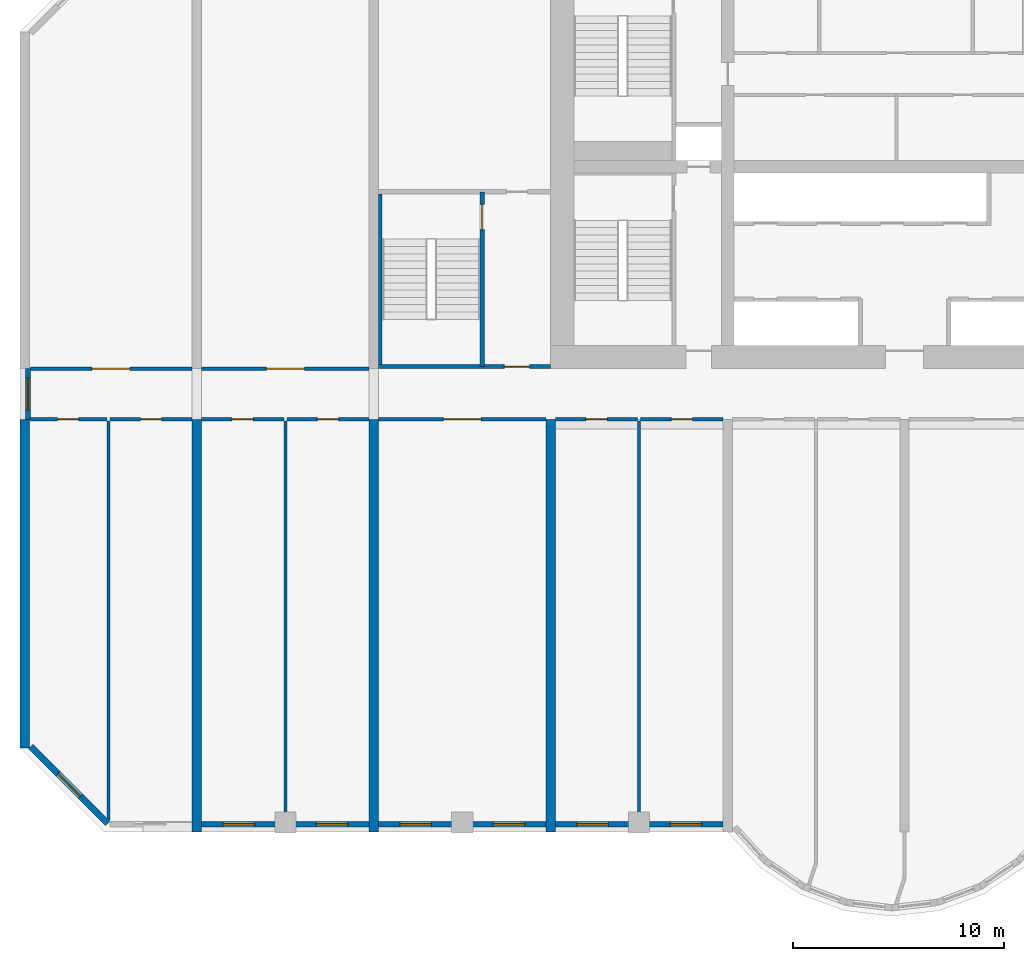
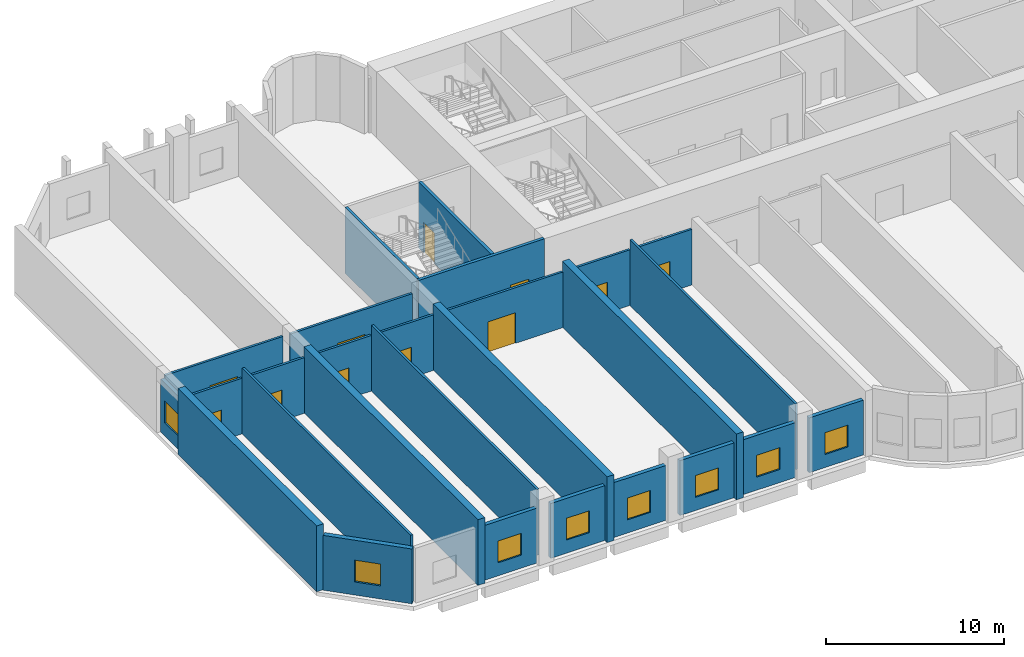
# One storey, part 2 of 10: 27 walls, 11 doors, 8 windows, 19 openings.
"""IFC4 building model written with IfcOpenShell, lengths in metres."""

from ifc_helpers import new_model, si_unit, direction, frame, frame_2d, origin, place, context, subcontext, project, spatial, rectangle, extrude, source, transform, mapped, material, layer, layer_set, type_object, element, fill, save


model = new_model("IFC4")

# Units and contexts
model_context = context("Model", 3, precision=1e-05, world=origin(), true_north=direction((0.0, 1.0)))
body_context = subcontext(model_context, "Body", "Model", "MODEL_VIEW")
ifc_project = project(units=[si_unit("LENGTHUNIT", "METRE"), si_unit("AREAUNIT", "SQUARE_METRE"), si_unit("VOLUMEUNIT", "CUBIC_METRE"), si_unit("PLANEANGLEUNIT", "RADIAN"), si_unit("MASSUNIT", "GRAM", prefix="KILO")], contexts=[model_context])

# Site, building, storey
site_placement = place(None, origin())
site = spatial("IfcSite", under=ifc_project, at=site_placement, CompositionType="ELEMENT")
building_placement = place(site_placement, origin())
building = spatial("IfcBuilding", under=site, at=building_placement, Name="Vanashikhar Sky Hotel", CompositionType="ELEMENT")
storey_placement = place(building_placement, frame((0.0, 0.0, 23.0)))
storey = spatial("IfcBuildingStorey", under=building, at=storey_placement, Name="L04", CompositionType="ELEMENT", Elevation=23.0)

# Walls
ifc_material_1 = material(Name="Concrete M80", Category="concrete")
ifc_layer_1 = layer(ifc_material_1, 0.449951171875)
ifc_layer_set_1 = layer_set([ifc_layer_1], Name="RC shear wall 450 Concrete M80")
wall_type_1 = type_object("IfcWallType", Name="RC shear wall 450 Concrete M80", PredefinedType="SHEAR", material=ifc_layer_set_1)
shared_shape_1 = source(origin(), body_context, "Body", "SweptSolid", [
    extrude(rectangle(XDim=15.60009765625, YDim=0.449951171875, at=frame_2d((7.800048828125, 0.0))), origin(), (0.0, 0.0, 1.0), 4.52001953125),
])
wall_1_placement = place(storey_placement, frame((0.22509765625, 4.0, 0.0), z_axis=(0.0, 0.0, 1.0), x_axis=(0.0, 1.0, 0.0)))
element("IfcWall", 1, at=wall_1_placement, inside=storey, type_object=wall_type_1, Name="CW-L04-XW01-1", PredefinedType="SHEAR", context=body_context, shape_type="MappedRepresentation", body=[
    mapped(shared_shape_1, transform((0.0, 0.0, 0.0), scale=1.0)),
])
shared_shape_2 = source(origin(), body_context, "Body", "SweptSolid", [
    extrude(rectangle(XDim=19.60009765625, YDim=0.449951171875, at=frame_2d((9.800048828125, 0.0))), origin(), (0.0, 0.0, 1.0), 4.52001953125),
])
for number, where, z_axis, x_axis, name in (
    (2, (8.39990234375, 0.0, 0.0), (0.0, 0.0, 1.0), (0.0, 1.0, 0.0), "CW-L04-XW02-1"),
    (3, (16.800048828125, 0.0, 0.0), (0.0, 0.0, 1.0), (0.0, 1.0, 0.0), "CW-L04-XW03-1"),
    (4, (25.199951171875, 0.0, 0.0), (0.0, 0.0, 1.0), (0.0, 1.0, 0.0), "CW-L04-XW04-1"),
):
    element("IfcWall", number, at=place(storey_placement, frame(where, z_axis=z_axis, x_axis=x_axis)), inside=storey, type_object=wall_type_1, Name=name, PredefinedType="SHEAR", context=body_context, shape_type="MappedRepresentation", body=[
        mapped(shared_shape_2, transform((0.0, 0.0, 0.0), scale=1.0)),
    ])

# Wall, opening, window
ifc_material_2 = material(Name="Concrete M50", Category="concrete")
ifc_layer_2 = layer(ifc_material_2, 0.25)
ifc_layer_set_2 = layer_set([ifc_layer_2], Name="Rear and end board-marked wall 250")
wall_type_2 = type_object("IfcWallType", Name="Rear and end board-marked wall 250", PredefinedType="SOLIDWALL", material=ifc_layer_set_2)
shared_shape_3 = source(origin(), body_context, "Body", "SweptSolid", [
    extrude(rectangle(XDim=3.52490234375, YDim=0.25, at=frame_2d((1.762451171875, 0.0))), origin(), (0.0, 0.0, 1.0), 3.77001953125),
])
wall_2_placement = place(storey_placement, frame((8.625, 0.375, 0.0), z_axis=(0.0, 0.0, 1.0), x_axis=(1.0, 0.0, 0.0)))
wall_2 = element("IfcWall", 5, at=wall_2_placement, inside=storey, type_object=wall_type_2, Name="Podium external wall", PredefinedType="SOLIDWALL", context=body_context, shape_type="MappedRepresentation", body=[
    mapped(shared_shape_3, transform((0.0, 0.0, 0.0), scale=1.0)),
])
shared_shape_4 = source(origin(), body_context, "Body", "SweptSolid", [
    extrude(rectangle(XDim=1.5, YDim=1.5, at=frame_2d((0.75, 0.75))), frame((0.0, 0.135009765625, 0.0), z_axis=(0.0, -1.0, 0.0), x_axis=(1.0, 0.0, 0.0)), (0.0, 0.0, 1.0), 0.27001953125),
])
opening_1_placement = place(wall_2_placement, frame((1.012451171875, 0.0, 0.89990234375)))
opening_1 = element("IfcOpeningElement", 6, at=opening_1_placement, cuts=wall_2, Name="Opening WN-1", PredefinedType="OPENING", context=body_context, shape_type="MappedRepresentation", body=[
    mapped(shared_shape_4, transform((0.0, 0.0, 0.0), scale=1.0)),
])
ifc_material_3 = material(Name="Glass", Category="glass")
window_type = type_object("IfcWindowType", Name="Window 1500 x 1500", PartitioningType="SINGLE_PANEL", PredefinedType="WINDOW", material=ifc_material_3)
shared_shape_5 = source(origin(), body_context, "Body", "SweptSolid", [
    extrude(rectangle(XDim=1.5, YDim=1.5, at=frame_2d((0.75, 0.75))), frame((0.0, 0.030029296875, 0.0), z_axis=(0.0, -1.0, 0.0), x_axis=(1.0, 0.0, 0.0)), (0.0, 0.0, 1.0), 0.06005859375),
])
window_1_placement = place(opening_1_placement, origin())
window_1 = element("IfcWindow", 7, at=window_1_placement, inside=storey, type_object=window_type, Name="Window WN-1", OverallHeight=1.5, OverallWidth=1.5, PartitioningType="SINGLE_PANEL", PredefinedType="WINDOW", context=body_context, shape_type="MappedRepresentation", body=[
    mapped(shared_shape_5, transform((0.0, 0.0, 0.0), scale=1.0)),
])
fill(opening_1, window_1)

wall_3_placement = place(storey_placement, frame((13.050048828125, 0.375, 0.0), z_axis=(0.0, 0.0, 1.0), x_axis=(1.0, 0.0, 0.0)))
wall_3 = element("IfcWall", 8, at=wall_3_placement, inside=storey, type_object=wall_type_2, Name="Podium external wall", PredefinedType="SOLIDWALL", context=body_context, shape_type="MappedRepresentation", body=[
    mapped(shared_shape_3, transform((0.0, 0.0, 0.0), scale=1.0)),
])
opening_2_placement = place(wall_3_placement, frame((1.012451171875, 0.0, 0.89990234375)))
opening_2 = element("IfcOpeningElement", 9, at=opening_2_placement, cuts=wall_3, Name="Opening WN-1", PredefinedType="OPENING", context=body_context, shape_type="MappedRepresentation", body=[
    mapped(shared_shape_4, transform((0.0, 0.0, 0.0), scale=1.0)),
])
window_2_placement = place(opening_2_placement, origin())
window_2 = element("IfcWindow", 10, at=window_2_placement, inside=storey, type_object=window_type, Name="Window WN-1", OverallHeight=1.5, OverallWidth=1.5, PartitioningType="SINGLE_PANEL", PredefinedType="WINDOW", context=body_context, shape_type="MappedRepresentation", body=[
    mapped(shared_shape_5, transform((0.0, 0.0, 0.0), scale=1.0)),
])
fill(opening_2, window_2)

wall_4_placement = place(storey_placement, frame((25.425048828125, 0.375, 0.0), z_axis=(0.0, 0.0, 1.0), x_axis=(1.0, 0.0, 0.0)))
wall_4 = element("IfcWall", 11, at=wall_4_placement, inside=storey, type_object=wall_type_2, Name="Podium external wall", PredefinedType="SOLIDWALL", context=body_context, shape_type="MappedRepresentation", body=[
    mapped(shared_shape_3, transform((0.0, 0.0, 0.0), scale=1.0)),
])
opening_3_placement = place(wall_4_placement, frame((1.012451171875, 0.0, 0.89990234375)))
opening_3 = element("IfcOpeningElement", 12, at=opening_3_placement, cuts=wall_4, Name="Opening WN-1", PredefinedType="OPENING", context=body_context, shape_type="MappedRepresentation", body=[
    mapped(shared_shape_4, transform((0.0, 0.0, 0.0), scale=1.0)),
])
window_3_placement = place(opening_3_placement, origin())
window_3 = element("IfcWindow", 13, at=window_3_placement, inside=storey, type_object=window_type, Name="Window WN-1", OverallHeight=1.5, OverallWidth=1.5, PartitioningType="SINGLE_PANEL", PredefinedType="WINDOW", context=body_context, shape_type="MappedRepresentation", body=[
    mapped(shared_shape_5, transform((0.0, 0.0, 0.0), scale=1.0)),
])
fill(opening_3, window_3)

wall_5_placement = place(storey_placement, frame((29.85009765625, 0.375, 0.0), z_axis=(0.0, 0.0, 1.0), x_axis=(1.0, 0.0, 0.0)))
wall_5 = element("IfcWall", 14, at=wall_5_placement, inside=storey, type_object=wall_type_2, Name="Podium external wall", PredefinedType="SOLIDWALL", context=body_context, shape_type="MappedRepresentation", body=[
    mapped(shared_shape_3, transform((0.0, 0.0, 0.0), scale=1.0)),
])
opening_4_placement = place(wall_5_placement, frame((1.012451171875, 0.0, 0.89990234375)))
opening_4 = element("IfcOpeningElement", 15, at=opening_4_placement, cuts=wall_5, Name="Opening WN-1", PredefinedType="OPENING", context=body_context, shape_type="MappedRepresentation", body=[
    mapped(shared_shape_4, transform((0.0, 0.0, 0.0), scale=1.0)),
])
window_4_placement = place(opening_4_placement, origin())
window_4 = element("IfcWindow", 16, at=window_4_placement, inside=storey, type_object=window_type, Name="Window WN-1", OverallHeight=1.5, OverallWidth=1.5, PartitioningType="SINGLE_PANEL", PredefinedType="WINDOW", context=body_context, shape_type="MappedRepresentation", body=[
    mapped(shared_shape_5, transform((0.0, 0.0, 0.0), scale=1.0)),
])
fill(opening_4, window_4)

shared_shape_6 = source(origin(), body_context, "Body", "SweptSolid", [
    extrude(rectangle(XDim=3.525146484375, YDim=0.25, at=frame_2d((1.7626953125, 0.0))), origin(), (0.0, 0.0, 1.0), 3.77001953125),
])
wall_6_placement = place(storey_placement, frame((17.02490234375, 0.375, 0.0), z_axis=(0.0, 0.0, 1.0), x_axis=(1.0, 0.0, 0.0)))
wall_6 = element("IfcWall", 17, at=wall_6_placement, inside=storey, type_object=wall_type_2, Name="Podium external wall", PredefinedType="SOLIDWALL", context=body_context, shape_type="MappedRepresentation", body=[
    mapped(shared_shape_6, transform((0.0, 0.0, 0.0), scale=1.0)),
])
opening_5_placement = place(wall_6_placement, frame((1.012451171875, 0.0, 0.89990234375)))
opening_5 = element("IfcOpeningElement", 18, at=opening_5_placement, cuts=wall_6, Name="Opening WN-1", PredefinedType="OPENING", context=body_context, shape_type="MappedRepresentation", body=[
    mapped(shared_shape_4, transform((0.0, 0.0, 0.0), scale=1.0)),
])
window_5_placement = place(opening_5_placement, origin())
window_5 = element("IfcWindow", 19, at=window_5_placement, inside=storey, type_object=window_type, Name="Window WN-1", OverallHeight=1.5, OverallWidth=1.5, PartitioningType="SINGLE_PANEL", PredefinedType="WINDOW", context=body_context, shape_type="MappedRepresentation", body=[
    mapped(shared_shape_5, transform((0.0, 0.0, 0.0), scale=1.0)),
])
fill(opening_5, window_5)

wall_7_placement = place(storey_placement, frame((21.449951171875, 0.375, 0.0), z_axis=(0.0, 0.0, 1.0), x_axis=(1.0, 0.0, 0.0)))
wall_7 = element("IfcWall", 20, at=wall_7_placement, inside=storey, type_object=wall_type_2, Name="Podium external wall", PredefinedType="SOLIDWALL", context=body_context, shape_type="MappedRepresentation", body=[
    mapped(shared_shape_6, transform((0.0, 0.0, 0.0), scale=1.0)),
])
opening_6_placement = place(wall_7_placement, frame((1.012451171875, 0.0, 0.89990234375)))
opening_6 = element("IfcOpeningElement", 21, at=opening_6_placement, cuts=wall_7, Name="Opening WN-1", PredefinedType="OPENING", context=body_context, shape_type="MappedRepresentation", body=[
    mapped(shared_shape_4, transform((0.0, 0.0, 0.0), scale=1.0)),
])
window_6_placement = place(opening_6_placement, origin())
window_6 = element("IfcWindow", 22, at=window_6_placement, inside=storey, type_object=window_type, Name="Window WN-1", OverallHeight=1.5, OverallWidth=1.5, PartitioningType="SINGLE_PANEL", PredefinedType="WINDOW", context=body_context, shape_type="MappedRepresentation", body=[
    mapped(shared_shape_5, transform((0.0, 0.0, 0.0), scale=1.0)),
])
fill(opening_6, window_6)

ifc_layer_3 = layer(ifc_material_2, 0.300048828125)
ifc_layer_set_3 = layer_set([ifc_layer_3], Name="Lobe wall 300")
wall_type_3 = type_object("IfcWallType", Name="Lobe wall 300", PredefinedType="SOLIDWALL", material=ifc_layer_set_3)
shared_shape_7 = source(origin(), body_context, "Body", "SweptSolid", [
    extrude(rectangle(XDim=5.173095703125, YDim=0.300048828125, at=frame_2d((2.58642578125, 0.0))), origin(), (0.0, 0.0, 1.0), 3.77001953125),
])
wall_8_placement = place(storey_placement, frame((0.5078125, 4.057861328125, 0.0), z_axis=(0.0, 0.0, 1.0), x_axis=(0.707106781187, -0.707106781187, 0.0)))
wall_8 = element("IfcWall", 23, at=wall_8_placement, inside=storey, type_object=wall_type_3, Name="Corner wall", PredefinedType="SOLIDWALL", context=body_context, shape_type="MappedRepresentation", body=[
    mapped(shared_shape_7, transform((0.0, 0.0, 0.0), scale=1.0)),
])
shared_shape_8 = source(origin(), body_context, "Body", "SweptSolid", [
    extrude(rectangle(XDim=1.5, YDim=1.5, at=frame_2d((0.75, 0.75))), frame((0.0, 0.16015625, 0.0), z_axis=(0.0, -1.0, 0.0), x_axis=(1.0, 0.0, 0.0)), (0.0, 0.0, 1.0), 0.320068359375),
])
opening_7_placement = place(wall_8_placement, frame((1.83642578125, 0.0, 0.89990234375)))
opening_7 = element("IfcOpeningElement", 24, at=opening_7_placement, cuts=wall_8, Name="Opening WN-1", PredefinedType="OPENING", context=body_context, shape_type="MappedRepresentation", body=[
    mapped(shared_shape_8, transform((0.0, 0.0, 0.0), scale=1.0)),
])
window_7_placement = place(opening_7_placement, origin())
window_7 = element("IfcWindow", 25, at=window_7_placement, inside=storey, type_object=window_type, Name="Window WN-1", OverallHeight=1.5, OverallWidth=1.5, PartitioningType="SINGLE_PANEL", PredefinedType="WINDOW", context=body_context, shape_type="MappedRepresentation", body=[
    mapped(shared_shape_5, transform((0.0, 0.0, 0.0), scale=1.0)),
])
fill(opening_7, window_7)

shared_shape_9 = source(origin(), body_context, "Body", "SweptSolid", [
    extrude(rectangle(XDim=2.39990234375, YDim=0.25, at=frame_2d((1.199951171875, 0.0))), origin(), (0.0, 0.0, 1.0), 3.6201171875),
])
wall_9_placement = place(storey_placement, frame((0.375, 22.0, 0.0), z_axis=(0.0, 0.0, 1.0), x_axis=(0.0, -1.0, 0.0)))
wall_9 = element("IfcWall", 26, at=wall_9_placement, inside=storey, type_object=wall_type_2, Name="Podium external wall", PredefinedType="SOLIDWALL", context=body_context, shape_type="MappedRepresentation", body=[
    mapped(shared_shape_9, transform((0.0, 0.0, 0.0), scale=1.0)),
])
opening_8_placement = place(wall_9_placement, frame((0.449951171875, 0.0, 0.89990234375)))
opening_8 = element("IfcOpeningElement", 27, at=opening_8_placement, cuts=wall_9, Name="Opening WN-1", PredefinedType="OPENING", context=body_context, shape_type="MappedRepresentation", body=[
    mapped(shared_shape_4, transform((0.0, 0.0, 0.0), scale=1.0)),
])
window_8_placement = place(opening_8_placement, origin())
window_8 = element("IfcWindow", 28, at=window_8_placement, inside=storey, type_object=window_type, Name="Window WN-1", OverallHeight=1.5, OverallWidth=1.5, PartitioningType="SINGLE_PANEL", PredefinedType="WINDOW", context=body_context, shape_type="MappedRepresentation", body=[
    mapped(shared_shape_5, transform((0.0, 0.0, 0.0), scale=1.0)),
])
fill(opening_8, window_8)

# Wall, opening, door
ifc_layer_4 = layer(ifc_material_2, 0.199951171875)
ifc_layer_set_4 = layer_set([ifc_layer_4], Name="Stair wall 200")
wall_type_4 = type_object("IfcWallType", Name="Stair wall 200", PredefinedType="SOLIDWALL", material=ifc_layer_set_4)
shared_shape_10 = source(origin(), body_context, "Body", "SweptSolid", [
    extrude(rectangle(XDim=8.2998046875, YDim=0.199951171875, at=frame_2d((4.14990234375, 0.0))), origin(), (0.0, 0.0, 1.0), 4.52001953125),
])
wall_10_placement = place(storey_placement, frame((21.949951171875, 22.10009765625, 0.0), z_axis=(0.0, 0.0, 1.0), x_axis=(0.0, 1.0, 0.0)))
wall_10 = element("IfcWall", 29, at=wall_10_placement, inside=storey, type_object=wall_type_4, Name="Stair wall 200", PredefinedType="SOLIDWALL", context=body_context, shape_type="MappedRepresentation", body=[
    mapped(shared_shape_10, transform((0.0, 0.0, 0.0), scale=1.0)),
])
shared_shape_11 = source(origin(), body_context, "Body", "SweptSolid", [
    extrude(rectangle(XDim=1.199951171875, YDim=2.10009765625, at=frame_2d((0.60009765625, 1.050048828125))), frame((0.0, 0.10986328125, 0.0), z_axis=(0.0, -1.0, 0.0), x_axis=(1.0, 0.0, 0.0)), (0.0, 0.0, 1.0), 0.219970703125),
])
opening_9_placement = place(wall_10_placement, frame((6.5, 0.0, 0.0)))
opening_9 = element("IfcOpeningElement", 30, at=opening_9_placement, cuts=wall_10, Name="Opening DC-1", PredefinedType="OPENING", context=body_context, shape_type="MappedRepresentation", body=[
    mapped(shared_shape_11, transform((0.0, 0.0, 0.0), scale=1.0)),
])
ifc_material_4 = material(Name="Steel", Category="steel")
door_type_1 = type_object("IfcDoorType", Name="Stair door 1200 FD120", OperationType="NOTDEFINED", PredefinedType="DOOR", material=ifc_material_4)
shared_shape_12 = source(origin(), body_context, "Body", "SweptSolid", [
    extrude(rectangle(XDim=1.199951171875, YDim=2.10009765625, at=frame_2d((0.60009765625, 1.050048828125))), frame((0.0, 0.02490234375, 0.0), z_axis=(0.0, -1.0, 0.0), x_axis=(1.0, 0.0, 0.0)), (0.0, 0.0, 1.0), 0.050048828125),
])
door_1_placement = place(opening_9_placement, origin())
door_1 = element("IfcDoor", 31, at=door_1_placement, inside=storey, type_object=door_type_1, Name="Stair door 1200 FD120", OperationType="SINGLE_SWING_LEFT", OverallHeight=2.10009765625, OverallWidth=1.199951171875, PredefinedType="DOOR", context=body_context, shape_type="MappedRepresentation", body=[
    mapped(shared_shape_12, transform((0.0, 0.0, 0.0), scale=1.0)),
])
fill(opening_9, door_1)

shared_shape_13 = source(origin(), body_context, "Body", "SweptSolid", [
    extrude(rectangle(XDim=8.175048828125, YDim=0.199951171875, at=frame_2d((4.08740234375, 0.0))), origin(), (0.0, 0.0, 1.0), 4.52001953125),
])
wall_11_placement = place(storey_placement, frame((17.02490234375, 22.10009765625, 0.0), z_axis=(0.0, 0.0, 1.0), x_axis=(1.0, 0.0, 0.0)))
wall_11 = element("IfcWall", 32, at=wall_11_placement, inside=storey, type_object=wall_type_4, Name="Stair wall 200", PredefinedType="SOLIDWALL", context=body_context, shape_type="MappedRepresentation", body=[
    mapped(shared_shape_13, transform((0.0, 0.0, 0.0), scale=1.0)),
])
opening_10_placement = place(wall_11_placement, frame((5.97509765625, 0.0, 0.0)))
opening_10 = element("IfcOpeningElement", 33, at=opening_10_placement, cuts=wall_11, Name="Opening DC-2", PredefinedType="OPENING", context=body_context, shape_type="MappedRepresentation", body=[
    mapped(shared_shape_11, transform((0.0, 0.0, 0.0), scale=1.0)),
])
door_type_2 = type_object("IfcDoorType", Name="Firefighting lobby door 1200 FD120", OperationType="NOTDEFINED", PredefinedType="DOOR", material=ifc_material_4)
door_2_placement = place(opening_10_placement, origin())
door_2 = element("IfcDoor", 34, at=door_2_placement, inside=storey, type_object=door_type_2, Name="Firefighting lobby door 1200 FD120", OperationType="SINGLE_SWING_LEFT", OverallHeight=2.10009765625, OverallWidth=1.199951171875, PredefinedType="DOOR", context=body_context, shape_type="MappedRepresentation", body=[
    mapped(shared_shape_12, transform((0.0, 0.0, 0.0), scale=1.0)),
])
fill(opening_10, door_2)

# Wall
ifc_layer_5 = layer(ifc_material_2, 0.175048828125)
ifc_layer_set_5 = layer_set([ifc_layer_5], Name="Stair infill wall 175")
wall_type_5 = type_object("IfcWallType", Name="Stair infill wall 175", PredefinedType="SOLIDWALL", material=ifc_layer_set_5)
shared_shape_14 = source(origin(), body_context, "Body", "SweptSolid", [
    extrude(rectangle(XDim=8.10009765625, YDim=0.175048828125, at=frame_2d((4.050048828125, 0.0))), origin(), (0.0, 0.0, 1.0), 4.52001953125),
])
wall_12_placement = place(storey_placement, frame((17.112060546875, 22.199951171875, 0.0), z_axis=(0.0, 0.0, 1.0), x_axis=(0.0, 1.0, 0.0)))
element("IfcWall", 35, at=wall_12_placement, inside=storey, type_object=wall_type_5, Name="Stair infill wall 175", PredefinedType="SOLIDWALL", context=body_context, shape_type="MappedRepresentation", body=[
    mapped(shared_shape_14, transform((0.0, 0.0, 0.0), scale=1.0)),
])

# Wall, opening, door
ifc_material_5 = material(Name="Gypsum plasterboard partition")
ifc_layer_6 = layer(ifc_material_5, 0.14990234375)
ifc_layer_set_6 = layer_set([ifc_layer_6], Name="Corridor and demising partition 150")
wall_type_6 = type_object("IfcWallType", Name="Corridor and demising partition 150", PredefinedType="PARTITIONING", material=ifc_layer_set_6)
shared_shape_15 = source(origin(), body_context, "Body", "SweptSolid", [
    extrude(rectangle(XDim=3.625, YDim=0.14990234375, at=frame_2d((1.8125, 0.0))), origin(), (0.0, 0.0, 1.0), 3.820068359375),
])
wall_13_placement = place(storey_placement, frame((0.5, 19.60009765625, 0.0), z_axis=(0.0, 0.0, 1.0), x_axis=(1.0, 0.0, 0.0)))
wall_13 = element("IfcWall", 36, at=wall_13_placement, inside=storey, type_object=wall_type_6, Name="W-L04-PW001", PredefinedType="PARTITIONING", context=body_context, shape_type="MappedRepresentation", body=[
    mapped(shared_shape_15, transform((0.0, 0.0, 0.0), scale=1.0)),
])
shared_shape_16 = source(origin(), body_context, "Body", "SweptSolid", [
    extrude(rectangle(XDim=1.0, YDim=2.10009765625, at=frame_2d((0.5, 1.050048828125))), frame((0.0, 0.0849609375, 0.0), z_axis=(0.0, -1.0, 0.0), x_axis=(1.0, 0.0, 0.0)), (0.0, 0.0, 1.0), 0.169921875),
])
opening_11_placement = place(wall_13_placement, frame((1.2880859375, 0.0, 0.0)))
opening_11 = element("IfcOpeningElement", 37, at=opening_11_placement, cuts=wall_13, Name="Opening D-01", PredefinedType="OPENING", context=body_context, shape_type="MappedRepresentation", body=[
    mapped(shared_shape_16, transform((0.0, 0.0, 0.0), scale=1.0)),
])
ifc_material_6 = material(Name="Timber fire door", Category="wood")
door_type_3 = type_object("IfcDoorType", Name="Guest entry door 1000 FD30S", OperationType="NOTDEFINED", PredefinedType="DOOR", material=ifc_material_6)
shared_shape_17 = source(origin(), body_context, "Body", "SweptSolid", [
    extrude(rectangle(XDim=1.0, YDim=2.10009765625, at=frame_2d((0.5, 1.050048828125))), frame((0.0, 0.02490234375, 0.0), z_axis=(0.0, -1.0, 0.0), x_axis=(1.0, 0.0, 0.0)), (0.0, 0.0, 1.0), 0.050048828125),
])
door_3_placement = place(opening_11_placement, origin())
door_3 = element("IfcDoor", 38, at=door_3_placement, inside=storey, type_object=door_type_3, Name="D-L04-001", OperationType="SINGLE_SWING_LEFT", OverallHeight=2.10009765625, OverallWidth=1.0, PredefinedType="DOOR", context=body_context, shape_type="MappedRepresentation", body=[
    mapped(shared_shape_17, transform((0.0, 0.0, 0.0), scale=1.0)),
])
fill(opening_11, door_3)

shared_shape_18 = source(origin(), body_context, "Body", "SweptSolid", [
    extrude(rectangle(XDim=3.900146484375, YDim=0.14990234375, at=frame_2d((1.9501953125, 0.0))), origin(), (0.0, 0.0, 1.0), 3.820068359375),
])
wall_14_placement = place(storey_placement, frame((4.27490234375, 19.60009765625, 0.0), z_axis=(0.0, 0.0, 1.0), x_axis=(1.0, 0.0, 0.0)))
wall_14 = element("IfcWall", 39, at=wall_14_placement, inside=storey, type_object=wall_type_6, Name="W-L04-PW002", PredefinedType="PARTITIONING", context=body_context, shape_type="MappedRepresentation", body=[
    mapped(shared_shape_18, transform((0.0, 0.0, 0.0), scale=1.0)),
])
opening_12_placement = place(wall_14_placement, frame((1.449951171875, 0.0, 0.0)))
opening_12 = element("IfcOpeningElement", 40, at=opening_12_placement, cuts=wall_14, Name="Opening D-01", PredefinedType="OPENING", context=body_context, shape_type="MappedRepresentation", body=[
    mapped(shared_shape_16, transform((0.0, 0.0, 0.0), scale=1.0)),
])
door_4_placement = place(opening_12_placement, origin())
door_4 = element("IfcDoor", 41, at=door_4_placement, inside=storey, type_object=door_type_3, Name="D-L04-002", OperationType="SINGLE_SWING_RIGHT", OverallHeight=2.10009765625, OverallWidth=1.0, PredefinedType="DOOR", context=body_context, shape_type="MappedRepresentation", body=[
    mapped(shared_shape_17, transform((0.0, 0.0, 0.0), scale=1.0)),
])
fill(opening_12, door_4)

# Wall
shared_shape_19 = source(origin(), body_context, "Body", "SweptSolid", [
    extrude(rectangle(XDim=18.947021484375, YDim=0.14990234375, at=frame_2d((9.4736328125, 0.0))), origin(), (0.0, 0.0, 1.0), 4.52001953125),
])
wall_15_placement = place(storey_placement, frame((4.199951171875, 0.577880859375, 0.0), z_axis=(0.0, 0.0, 1.0), x_axis=(0.0, 1.0, 0.0)))
element("IfcWall", 42, at=wall_15_placement, inside=storey, type_object=wall_type_6, Name="W-L04-PW003", PredefinedType="PARTITIONING", context=body_context, shape_type="MappedRepresentation", body=[
    mapped(shared_shape_19, transform((0.0, 0.0, 0.0), scale=1.0)),
])

# Wall, opening, door
shared_shape_20 = source(origin(), body_context, "Body", "SweptSolid", [
    extrude(rectangle(XDim=3.89990234375, YDim=0.14990234375, at=frame_2d((1.949951171875, 0.0))), origin(), (0.0, 0.0, 1.0), 3.820068359375),
])
wall_16_placement = place(storey_placement, frame((8.625, 19.60009765625, 0.0), z_axis=(0.0, 0.0, 1.0), x_axis=(1.0, 0.0, 0.0)))
wall_16 = element("IfcWall", 43, at=wall_16_placement, inside=storey, type_object=wall_type_6, Name="W-L04-PW004", PredefinedType="PARTITIONING", context=body_context, shape_type="MappedRepresentation", body=[
    mapped(shared_shape_20, transform((0.0, 0.0, 0.0), scale=1.0)),
])
opening_13_placement = place(wall_16_placement, frame((1.449951171875, 0.0, 0.0)))
opening_13 = element("IfcOpeningElement", 44, at=opening_13_placement, cuts=wall_16, Name="Opening D-01", PredefinedType="OPENING", context=body_context, shape_type="MappedRepresentation", body=[
    mapped(shared_shape_16, transform((0.0, 0.0, 0.0), scale=1.0)),
])
door_5_placement = place(opening_13_placement, origin())
door_5 = element("IfcDoor", 45, at=door_5_placement, inside=storey, type_object=door_type_3, Name="D-L04-003", OperationType="SINGLE_SWING_LEFT", OverallHeight=2.10009765625, OverallWidth=1.0, PredefinedType="DOOR", context=body_context, shape_type="MappedRepresentation", body=[
    mapped(shared_shape_17, transform((0.0, 0.0, 0.0), scale=1.0)),
])
fill(opening_13, door_5)

wall_17_placement = place(storey_placement, frame((12.675048828125, 19.60009765625, 0.0), z_axis=(0.0, 0.0, 1.0), x_axis=(1.0, 0.0, 0.0)))
wall_17 = element("IfcWall", 46, at=wall_17_placement, inside=storey, type_object=wall_type_6, Name="W-L04-PW005", PredefinedType="PARTITIONING", context=body_context, shape_type="MappedRepresentation", body=[
    mapped(shared_shape_20, transform((0.0, 0.0, 0.0), scale=1.0)),
])
opening_14_placement = place(wall_17_placement, frame((1.449951171875, 0.0, 0.0)))
opening_14 = element("IfcOpeningElement", 47, at=opening_14_placement, cuts=wall_17, Name="Opening D-01", PredefinedType="OPENING", context=body_context, shape_type="MappedRepresentation", body=[
    mapped(shared_shape_16, transform((0.0, 0.0, 0.0), scale=1.0)),
])
door_6_placement = place(opening_14_placement, origin())
door_6 = element("IfcDoor", 48, at=door_6_placement, inside=storey, type_object=door_type_3, Name="D-L04-004", OperationType="SINGLE_SWING_RIGHT", OverallHeight=2.10009765625, OverallWidth=1.0, PredefinedType="DOOR", context=body_context, shape_type="MappedRepresentation", body=[
    mapped(shared_shape_17, transform((0.0, 0.0, 0.0), scale=1.0)),
])
fill(opening_14, door_6)

wall_18_placement = place(storey_placement, frame((25.425048828125, 19.60009765625, 0.0), z_axis=(0.0, 0.0, 1.0), x_axis=(1.0, 0.0, 0.0)))
wall_18 = element("IfcWall", 49, at=wall_18_placement, inside=storey, type_object=wall_type_6, Name="W-L04-PW008", PredefinedType="PARTITIONING", context=body_context, shape_type="MappedRepresentation", body=[
    mapped(shared_shape_20, transform((0.0, 0.0, 0.0), scale=1.0)),
])
opening_15_placement = place(wall_18_placement, frame((1.449951171875, 0.0, 0.0)))
opening_15 = element("IfcOpeningElement", 50, at=opening_15_placement, cuts=wall_18, Name="Opening D-01", PredefinedType="OPENING", context=body_context, shape_type="MappedRepresentation", body=[
    mapped(shared_shape_16, transform((0.0, 0.0, 0.0), scale=1.0)),
])
door_7_placement = place(opening_15_placement, origin())
door_7 = element("IfcDoor", 51, at=door_7_placement, inside=storey, type_object=door_type_3, Name="D-L04-006", OperationType="SINGLE_SWING_LEFT", OverallHeight=2.10009765625, OverallWidth=1.0, PredefinedType="DOOR", context=body_context, shape_type="MappedRepresentation", body=[
    mapped(shared_shape_17, transform((0.0, 0.0, 0.0), scale=1.0)),
])
fill(opening_15, door_7)

wall_19_placement = place(storey_placement, frame((29.47509765625, 19.60009765625, 0.0), z_axis=(0.0, 0.0, 1.0), x_axis=(1.0, 0.0, 0.0)))
wall_19 = element("IfcWall", 52, at=wall_19_placement, inside=storey, type_object=wall_type_6, Name="W-L04-PW009", PredefinedType="PARTITIONING", context=body_context, shape_type="MappedRepresentation", body=[
    mapped(shared_shape_20, transform((0.0, 0.0, 0.0), scale=1.0)),
])
opening_16_placement = place(wall_19_placement, frame((1.449951171875, 0.0, 0.0)))
opening_16 = element("IfcOpeningElement", 53, at=opening_16_placement, cuts=wall_19, Name="Opening D-01", PredefinedType="OPENING", context=body_context, shape_type="MappedRepresentation", body=[
    mapped(shared_shape_16, transform((0.0, 0.0, 0.0), scale=1.0)),
])
door_8_placement = place(opening_16_placement, origin())
door_8 = element("IfcDoor", 54, at=door_8_placement, inside=storey, type_object=door_type_3, Name="D-L04-007", OperationType="SINGLE_SWING_RIGHT", OverallHeight=2.10009765625, OverallWidth=1.0, PredefinedType="DOOR", context=body_context, shape_type="MappedRepresentation", body=[
    mapped(shared_shape_17, transform((0.0, 0.0, 0.0), scale=1.0)),
])
fill(opening_16, door_8)

# Walls
shared_shape_21 = source(origin(), body_context, "Body", "SweptSolid", [
    extrude(rectangle(XDim=18.625, YDim=0.14990234375, at=frame_2d((9.3125, 0.0))), origin(), (0.0, 0.0, 1.0), 4.52001953125),
])
for number, where, z_axis, x_axis, name in (
    (55, (12.60009765625, 0.89990234375, 0.0), (0.0, 0.0, 1.0), (0.0, 1.0, 0.0), "W-L04-PW006"),
    (56, (29.39990234375, 0.89990234375, 0.0), (0.0, 0.0, 1.0), (0.0, 1.0, 0.0), "W-L04-PW010"),
):
    element("IfcWall", number, at=place(storey_placement, frame(where, z_axis=z_axis, x_axis=x_axis)), inside=storey, type_object=wall_type_6, Name=name, PredefinedType="PARTITIONING", context=body_context, shape_type="MappedRepresentation", body=[
        mapped(shared_shape_21, transform((0.0, 0.0, 0.0), scale=1.0)),
    ])

# Wall, opening, door
shared_shape_22 = source(origin(), body_context, "Body", "SweptSolid", [
    extrude(rectangle(XDim=7.9501953125, YDim=0.14990234375, at=frame_2d((3.97509765625, 0.0))), origin(), (0.0, 0.0, 1.0), 3.820068359375),
])
wall_20_placement = place(storey_placement, frame((17.02490234375, 19.60009765625, 0.0), z_axis=(0.0, 0.0, 1.0), x_axis=(1.0, 0.0, 0.0)))
wall_20 = element("IfcWall", 57, at=wall_20_placement, inside=storey, type_object=wall_type_6, Name="W-L04-PW007", PredefinedType="PARTITIONING", context=body_context, shape_type="MappedRepresentation", body=[
    mapped(shared_shape_22, transform((0.0, 0.0, 0.0), scale=1.0)),
])
shared_shape_23 = source(origin(), body_context, "Body", "SweptSolid", [
    extrude(rectangle(XDim=1.800048828125, YDim=2.10009765625, at=frame_2d((0.89990234375, 1.050048828125))), frame((0.0, 0.0849609375, 0.0), z_axis=(0.0, -1.0, 0.0), x_axis=(1.0, 0.0, 0.0)), (0.0, 0.0, 1.0), 0.169921875),
])
opening_17_placement = place(wall_20_placement, frame((3.074951171875, 0.0, 0.0)))
opening_17 = element("IfcOpeningElement", 58, at=opening_17_placement, cuts=wall_20, Name="Opening D-03", PredefinedType="OPENING", context=body_context, shape_type="MappedRepresentation", body=[
    mapped(shared_shape_23, transform((0.0, 0.0, 0.0), scale=1.0)),
])
door_type_4 = type_object("IfcDoorType", Name="Double leaf door 1800 FD30S", OperationType="NOTDEFINED", PredefinedType="DOOR", material=ifc_material_6)
shared_shape_24 = source(origin(), body_context, "Body", "SweptSolid", [
    extrude(rectangle(XDim=1.800048828125, YDim=2.10009765625, at=frame_2d((0.89990234375, 1.050048828125))), frame((0.0, 0.02490234375, 0.0), z_axis=(0.0, -1.0, 0.0), x_axis=(1.0, 0.0, 0.0)), (0.0, 0.0, 1.0), 0.050048828125),
])
door_9_placement = place(opening_17_placement, origin())
door_9 = element("IfcDoor", 59, at=door_9_placement, inside=storey, type_object=door_type_4, Name="D-L04-005", OperationType="DOUBLE_DOOR_SINGLE_SWING", OverallHeight=2.10009765625, OverallWidth=1.800048828125, PredefinedType="DOOR", context=body_context, shape_type="MappedRepresentation", body=[
    mapped(shared_shape_24, transform((0.0, 0.0, 0.0), scale=1.0)),
])
fill(opening_17, door_9)

shared_shape_25 = source(origin(), body_context, "Body", "SweptSolid", [
    extrude(rectangle(XDim=7.949951171875, YDim=0.14990234375, at=frame_2d((3.97509765625, 0.0))), origin(), (0.0, 0.0, 1.0), 3.820068359375),
])
wall_21_placement = place(storey_placement, frame((8.625, 22.0, 0.0), z_axis=(0.0, 0.0, 1.0), x_axis=(1.0, 0.0, 0.0)))
wall_21 = element("IfcWall", 60, at=wall_21_placement, inside=storey, type_object=wall_type_6, Name="W-L04-PW030", PredefinedType="PARTITIONING", context=body_context, shape_type="MappedRepresentation", body=[
    mapped(shared_shape_25, transform((0.0, 0.0, 0.0), scale=1.0)),
])
opening_18_placement = place(wall_21_placement, frame((3.074951171875, 0.0, 0.0)))
opening_18 = element("IfcOpeningElement", 61, at=opening_18_placement, cuts=wall_21, Name="Opening D-03", PredefinedType="OPENING", context=body_context, shape_type="MappedRepresentation", body=[
    mapped(shared_shape_23, transform((0.0, 0.0, 0.0), scale=1.0)),
])
door_10_placement = place(opening_18_placement, origin())
door_10 = element("IfcDoor", 62, at=door_10_placement, inside=storey, type_object=door_type_4, Name="D-L04-021", OperationType="DOUBLE_DOOR_SINGLE_SWING", OverallHeight=2.10009765625, OverallWidth=1.800048828125, PredefinedType="DOOR", context=body_context, shape_type="MappedRepresentation", body=[
    mapped(shared_shape_24, transform((0.0, 0.0, 0.0), scale=1.0)),
])
fill(opening_18, door_10)

shared_shape_26 = source(origin(), body_context, "Body", "SweptSolid", [
    extrude(rectangle(XDim=7.675048828125, YDim=0.14990234375, at=frame_2d((3.83740234375, 0.0))), origin(), (0.0, 0.0, 1.0), 3.820068359375),
])
wall_22_placement = place(storey_placement, frame((0.5, 22.0, 0.0), z_axis=(0.0, 0.0, 1.0), x_axis=(1.0, 0.0, 0.0)))
wall_22 = element("IfcWall", 63, at=wall_22_placement, inside=storey, type_object=wall_type_6, Name="W-L04-PW029", PredefinedType="PARTITIONING", context=body_context, shape_type="MappedRepresentation", body=[
    mapped(shared_shape_26, transform((0.0, 0.0, 0.0), scale=1.0)),
])
opening_19_placement = place(wall_22_placement, frame((2.912109375, 0.0, 0.0)))
opening_19 = element("IfcOpeningElement", 64, at=opening_19_placement, cuts=wall_22, Name="Opening D-03", PredefinedType="OPENING", context=body_context, shape_type="MappedRepresentation", body=[
    mapped(shared_shape_23, transform((0.0, 0.0, 0.0), scale=1.0)),
])
door_11_placement = place(opening_19_placement, origin())
door_11 = element("IfcDoor", 65, at=door_11_placement, inside=storey, type_object=door_type_4, Name="D-L04-020", OperationType="DOUBLE_DOOR_SINGLE_SWING", OverallHeight=2.10009765625, OverallWidth=1.800048828125, PredefinedType="DOOR", context=body_context, shape_type="MappedRepresentation", body=[
    mapped(shared_shape_24, transform((0.0, 0.0, 0.0), scale=1.0)),
])
fill(opening_19, door_11)

save(model, "model.ifc")
